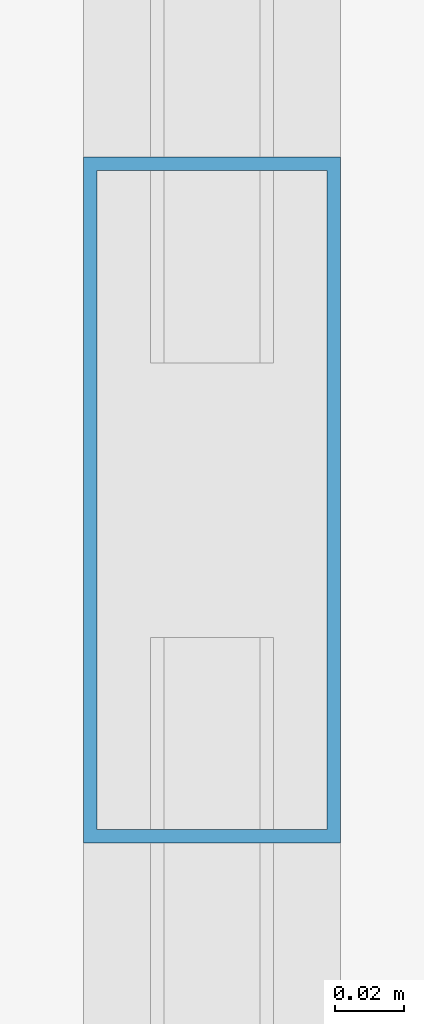
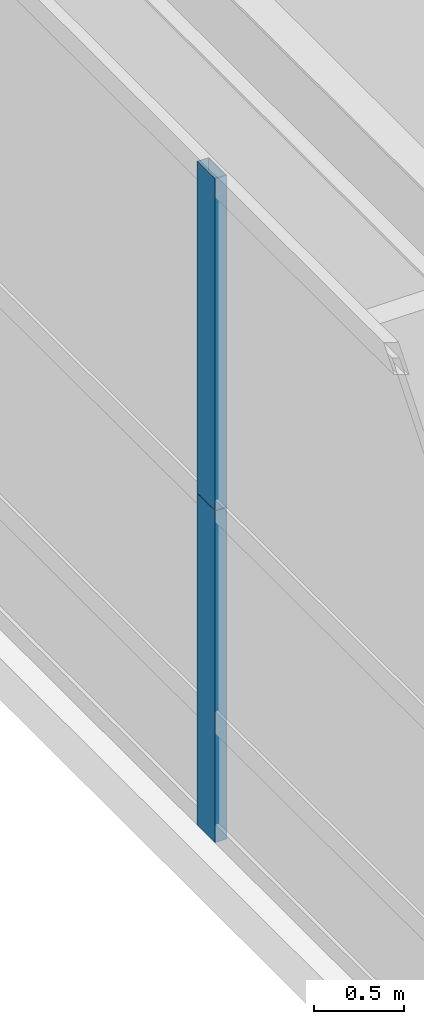
# One storey, part 9 of 38: 2 members, 1 element without a shape of its own.
"""IFC4 building model written with IfcOpenShell, lengths in metres."""

import ifcopenshell
import ifcopenshell.guid

model = None  # the IFC model being written
_history = None  # IfcOwnerHistory: only IFC2X3 demands one
_inside = {}  # id of a spatial element -> (the spatial element, [elements in it])
_under = {}  # id of a project, library or spatial element -> (it, [spatial elements below it])
_declared = {}  # id of a project -> (the project, [libraries it declares])
_typed = {}  # id of a type object -> (the type object, [elements of that type])
_made_of = {}  # id of a material, layer set ... -> (it, [elements and type objects made of it])


def new_model(schema):
    """Start an empty IFC model of exactly this schema.

    Asked for "IFC4X3", IfcOpenShell would pick the latest addendum, in which some entities
    have other attributes; the version numbers below select the first issue.
    IFC2X3 requires an IfcOwnerHistory on every rooted entity: one is made here for all.
    """
    global model, _history
    if schema == "IFC4X3":
        model = ifcopenshell.file(schema_version=(4, 3, 0, 0))
    else:
        model = ifcopenshell.file(schema=schema)
    _inside.clear()
    _under.clear()
    _declared.clear()
    _typed.clear()
    _made_of.clear()
    _history = None
    if model.schema == "IFC2X3":
        org = make("IfcOrganization", Name="unknown")
        user = make(
            "IfcPersonAndOrganization",
            ThePerson=make("IfcPerson", FamilyName="unknown"),
            TheOrganization=org,
        )
        app = make(
            "IfcApplication",
            ApplicationDeveloper=org,
            Version="unknown",
            ApplicationFullName="unknown",
            ApplicationIdentifier="unknown",
        )
        _history = make(
            "IfcOwnerHistory",
            OwningUser=user,
            OwningApplication=app,
            ChangeAction="ADDED",
            CreationDate=0,
        )
    return model


def make(cls, **values):
    """One entity of the class cls with the attributes given. An attribute that is None is left unset."""
    return model.create_entity(
        cls, **{name: value for name, value in values.items() if value is not None}
    )


def rooted(cls, **values):
    """An entity with a GlobalId (a new one), such as an element, a storey or a relation."""
    return make(cls, GlobalId=ifcopenshell.guid.new(), OwnerHistory=_history, **values)


def si_unit(unit_type, name, prefix=None):
    """IfcSIUnit, for example si_unit("LENGTHUNIT", "METRE", prefix="MILLI")."""
    return make("IfcSIUnit", UnitType=unit_type, Prefix=prefix, Name=name)


def assignment(units):
    """IfcUnitAssignment: the units of a project."""
    return None if units is None else make("IfcUnitAssignment", Units=units)


def point(xyz):
    """IfcCartesianPoint."""
    return None if xyz is None else make("IfcCartesianPoint", Coordinates=xyz)


def direction(xyz):
    """IfcDirection."""
    return None if xyz is None else make("IfcDirection", DirectionRatios=xyz)


def frame(location, z_axis=None, x_axis=None):
    """IfcAxis2Placement3D, a coordinate frame: its origin and axes. An axis left out is left unset."""
    return make(
        "IfcAxis2Placement3D",
        Location=point(location),
        Axis=direction(z_axis),
        RefDirection=direction(x_axis),
    )


def frame_2d(location, x_axis=None):
    """IfcAxis2Placement2D, a coordinate frame in the plane: its origin and x axis."""
    return make(
        "IfcAxis2Placement2D", Location=point(location), RefDirection=direction(x_axis)
    )


def origin():
    """The frame at (0, 0, 0) with its axes left unset."""
    return frame((0.0, 0.0, 0.0))


def origin_2d():
    """The frame at (0, 0) in the plane with its x axis left unset."""
    return frame_2d((0.0, 0.0))


def place(relative_to, where):
    """IfcLocalPlacement: puts the frame where relative to a parent placement (None: the world)."""
    return make(
        "IfcLocalPlacement", PlacementRelTo=relative_to, RelativePlacement=where
    )


def context(
    kind, dimensions, precision=None, world=None, true_north=None, identifier=None
):
    """IfcGeometricRepresentationContext, for example the 3D "Model" context."""
    return make(
        "IfcGeometricRepresentationContext",
        ContextIdentifier=identifier,
        ContextType=kind,
        CoordinateSpaceDimension=dimensions,
        Precision=precision,
        WorldCoordinateSystem=world,
        TrueNorth=true_north,
    )


def subcontext(parent, identifier, kind, view, scale=None):
    """IfcGeometricRepresentationSubContext, for example "Body" below "Model"."""
    return make(
        "IfcGeometricRepresentationSubContext",
        ContextIdentifier=identifier,
        ContextType=kind,
        ParentContext=parent,
        TargetScale=scale,
        TargetView=view,
    )


def project(units=None, contexts=None):
    """IfcProject with its units and contexts."""
    return rooted(
        "IfcProject",
        Name="project",
        RepresentationContexts=contexts,
        UnitsInContext=assignment(units),
    )


def spatial(cls, under=None, at=None, **own):
    """A site, building, storey or space (cls), placed at a placement, below another one or the project."""
    s = rooted(cls, ObjectPlacement=at, **own)
    if under is not None:
        _under.setdefault(under.id(), (under, []))[1].append(s)
    return s


def profile(cls, at=None, kind="AREA", **sizes):
    """A parametric profile (cls). Its sizes go by their IFC names, for example OverallWidth=200.0."""
    return make(cls, ProfileType=kind, Position=at, **sizes)


def hollow_rectangle(**sizes):
    """IfcRectangleHollowProfileDef."""
    return profile("IfcRectangleHollowProfileDef", **sizes)


def extrude(swept, where, along, depth):
    """IfcExtrudedAreaSolid: the profile swept, set in the frame where, extruded along a direction by depth."""
    return make(
        "IfcExtrudedAreaSolid",
        SweptArea=swept,
        Position=where,
        ExtrudedDirection=direction(along),
        Depth=depth,
    )


def shape(context_of_items, identifier, shape_type, items):
    """IfcShapeRepresentation: the items that make up one representation, for example the "Body"."""
    return make(
        "IfcShapeRepresentation",
        ContextOfItems=context_of_items,
        RepresentationIdentifier=identifier,
        RepresentationType=shape_type,
        Items=items,
    )


def source(mapping_origin, context_of_items, identifier, shape_type, items):
    """IfcRepresentationMap: a shape defined once, which mapped items show again and again."""
    return make(
        "IfcRepresentationMap",
        MappingOrigin=mapping_origin,
        MappedRepresentation=shape(context_of_items, identifier, shape_type, items),
    )


def transform(
    local_origin,
    x_axis=None,
    y_axis=None,
    z_axis=None,
    scale=None,
    scale2=None,
    scale3=None,
    uniform=True,
):
    """IfcCartesianTransformationOperator3D, or its non-uniform kind. x_axis, y_axis, z_axis: its Axis1, 2, 3."""
    if uniform:
        return make(
            "IfcCartesianTransformationOperator3D",
            Axis1=direction(x_axis),
            Axis2=direction(y_axis),
            LocalOrigin=point(local_origin),
            Scale=scale,
            Axis3=direction(z_axis),
        )
    return make(
        "IfcCartesianTransformationOperator3DnonUniform",
        Axis1=direction(x_axis),
        Axis2=direction(y_axis),
        LocalOrigin=point(local_origin),
        Scale=scale,
        Axis3=direction(z_axis),
        Scale2=scale2,
        Scale3=scale3,
    )


def mapped(mapping_source, mapping_target):
    """IfcMappedItem: shows the shape of a source again, moved by a transform."""
    return make(
        "IfcMappedItem", MappingSource=mapping_source, MappingTarget=mapping_target
    )


def material(Name=None, Category=None):
    """IfcMaterial."""
    return make("IfcMaterial", Name=Name, Category=Category)


def layer(
    of_material, thickness, ventilated=None, Name=None, Category=None, Priority=None
):
    """IfcMaterialLayer: one layer of a wall or slab, of a material (None: an air gap)."""
    return make(
        "IfcMaterialLayer",
        Material=of_material,
        LayerThickness=thickness,
        IsVentilated=ventilated,
        Name=Name,
        Category=Category,
        Priority=Priority,
    )


def layer_set(layers, Name=None):
    """IfcMaterialLayerSet."""
    return make("IfcMaterialLayerSet", MaterialLayers=layers, LayerSetName=Name)


def material_profile(
    of_material, cross_section, Name=None, Category=None, Priority=None
):
    """IfcMaterialProfile: a cross section and its material."""
    return make(
        "IfcMaterialProfile",
        Name=Name,
        Material=of_material,
        Profile=cross_section,
        Priority=Priority,
        Category=Category,
    )


def profile_set(profiles, Name=None, composite=None):
    """IfcMaterialProfileSet."""
    return make(
        "IfcMaterialProfileSet",
        Name=Name,
        MaterialProfiles=profiles,
        CompositeProfile=composite,
    )


def made_of(thing, what):
    """Note that an element or type object is made of a material, layer set ...; save() writes the relation."""
    if what is not None:
        _made_of.setdefault(what.id(), (what, []))[1].append(thing)
    return thing


def type_object(cls, material=None, **own):
    """A type object (cls), such as IfcWallType, which elements share."""
    return made_of(rooted(cls, **own), material)


def element(
    cls,
    number,
    at=None,
    inside=None,
    cuts=None,
    type_object=None,
    material=None,
    context=None,
    identifier="Body",
    shape_type=None,
    held_by="IfcProductDefinitionShape",
    body=None,
    shapes=None,
    **own,
):
    """One element of the class cls, such as IfcWall. Its Tag is "e" and its number.

    at: its placement. inside: the storey or other place that contains it. cuts: it is an
    opening in that element (IfcRelVoidsElement). A single representation is given by context,
    identifier, shape_type and body (its items); several are given by shapes. held_by: the class
    of the entity that holds the representations. save() writes the other relations.
    """
    e = rooted(cls, Tag="e%d" % number, ObjectPlacement=at, **own)
    if body is not None:
        shapes = [shape(context, identifier, shape_type, body)]
    if shapes is not None:
        e.Representation = make(held_by, Representations=shapes)
    if inside is not None:
        _inside.setdefault(inside.id(), (inside, []))[1].append(e)
    if cuts is not None:
        rooted(
            "IfcRelVoidsElement", RelatingBuildingElement=cuts, RelatedOpeningElement=e
        )
    if type_object is not None:
        _typed.setdefault(type_object.id(), (type_object, []))[1].append(e)
    return made_of(e, material)


def aggregate(whole, parts):
    """IfcRelAggregates: a whole, such as a stair, and the parts it consists of."""
    return rooted("IfcRelAggregates", RelatingObject=whole, RelatedObjects=parts)


def save(model, path):
    """Write the relations noted so far, then the file.

    IfcRelAggregates (storeys below a building ...), IfcRelContainedInSpatialStructure (elements
    in a storey), IfcRelDefinesByType, IfcRelAssociatesMaterial and IfcRelDeclares: one each for
    every whole, place, type object, material and project.
    """
    for whole, parts in _under.values():
        aggregate(whole, parts)
    for where, things in _inside.values():
        rooted(
            "IfcRelContainedInSpatialStructure",
            RelatedElements=things,
            RelatingStructure=where,
        )
    for kind, things in _typed.values():
        rooted("IfcRelDefinesByType", RelatedObjects=things, RelatingType=kind)
    for what, things in _made_of.values():
        rooted("IfcRelAssociatesMaterial", RelatedObjects=things, RelatingMaterial=what)
    for by, libraries in _declared.values():
        rooted("IfcRelDeclares", RelatingContext=by, RelatedDefinitions=libraries)
    model.write(path)


model = new_model("IFC4")

# Units and contexts
model_context = context("Model", 3, precision=1e-05, world=origin(), true_north=direction((0.0, 1.0)))
body_context = subcontext(model_context, "Body", "Model", "MODEL_VIEW")
ifc_project = project(units=[si_unit("LENGTHUNIT", "METRE"), si_unit("AREAUNIT", "SQUARE_METRE"), si_unit("VOLUMEUNIT", "CUBIC_METRE"), si_unit("PLANEANGLEUNIT", "RADIAN"), si_unit("MASSUNIT", "GRAM", prefix="KILO"), si_unit("THERMODYNAMICTEMPERATUREUNIT", "KELVIN"), si_unit("POWERUNIT", "WATT")], contexts=[model_context])

# Site, building, storey
site_placement = place(None, origin())
site = spatial("IfcSite", under=ifc_project, at=site_placement, CompositionType="ELEMENT")
building_placement = place(site_placement, origin())
building = spatial("IfcBuilding", under=site, at=building_placement, Name="Yuzanri Waterfront Tower", CompositionType="ELEMENT")
storey_placement = place(building_placement, frame((0.0, 0.0, 10.199951171875)))
storey = spatial("IfcBuildingStorey", under=building, at=storey_placement, Name="L03", CompositionType="ELEMENT", Elevation=10.199951171875)

# Curtain wall, members
ifc_material_1 = material(Name="Anodized Architectural Bronze", Category="metal")
ifc_layer = layer(ifc_material_1, 0.159912109375)
ifc_layer_set = layer_set([ifc_layer], Name="Anodized Architectural Bronze")
curtain_wall_type = type_object("IfcCurtainWallType", Name="Anodized Bronze Podium Waterfront Double-Height Unitized Curtain Wall 8400", PredefinedType="NOTDEFINED", material=ifc_layer_set)
curtain_wall_placement = place(storey_placement, origin())
curtain_wall = element("IfcCurtainWall", 1, at=curtain_wall_placement, inside=storey, type_object=curtain_wall_type, Name="L03 Curtain Wall CW-L03-W", PredefinedType="NOTDEFINED")
ifc_material_2 = material(Name="Anodized Architectural Bronze", Category="metal")
ifc_material_profile = material_profile(ifc_material_2, hollow_rectangle(XDim=0.074951171875, YDim=0.199951171875, WallThickness=0.00390625, at=origin_2d()), Name="CWM 75x200")
ifc_profile_set = profile_set([ifc_material_profile], Name="Anodized Architectural Bronze")
member_type = type_object("IfcMemberType", Name="Anodized Bronze Primary Curtain-Wall Mullion 75x200", PredefinedType="MULLION", material=ifc_profile_set)
shared_shape = source(origin(), body_context, "Body", "SweptSolid", [
    extrude(hollow_rectangle(XDim=0.074951171875, YDim=0.199951171875, WallThickness=0.00390625, at=origin_2d()), origin(), (0.0, 0.0, 1.0), 2.258056640625),
])
member_1_placement = place(storey_placement, frame((2.179931640625, 25.800048828125, 0.0), z_axis=(0.0, 0.0, 1.0), x_axis=(1.0, 0.0, 0.0)))
member_1 = element("IfcMember", 2, at=member_1_placement, type_object=member_type, Name="CW-L03-W Lower Mullion 01", PredefinedType="MULLION", context=body_context, shape_type="MappedRepresentation", body=[
    mapped(shared_shape, transform((0.0, 0.0, 0.0), scale=1.0)),
])
member_2_placement = place(storey_placement, frame((2.179931640625, 25.800048828125, 2.261962890625), z_axis=(0.0, 0.0, 1.0), x_axis=(1.0, 0.0, 0.0)))
member_2 = element("IfcMember", 3, at=member_2_placement, type_object=member_type, Name="CW-L03-W Upper Mullion 01", PredefinedType="MULLION", context=body_context, shape_type="MappedRepresentation", body=[
    mapped(shared_shape, transform((0.0, 0.0, 0.0), scale=1.0)),
])
aggregate(curtain_wall, [member_1, member_2])

save(model, "model.ifc")
